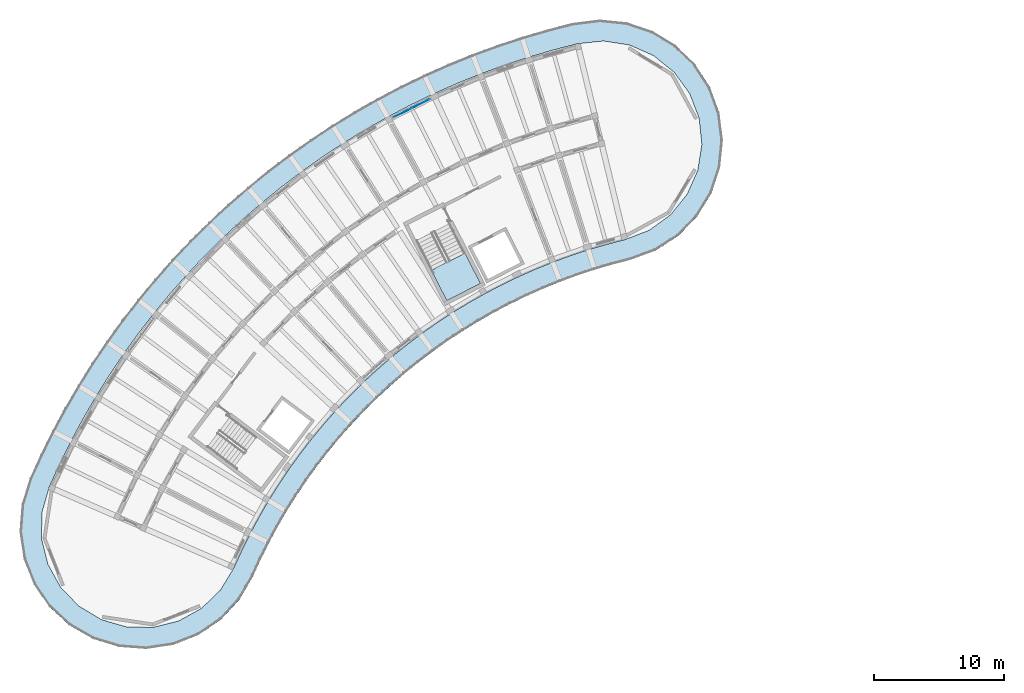
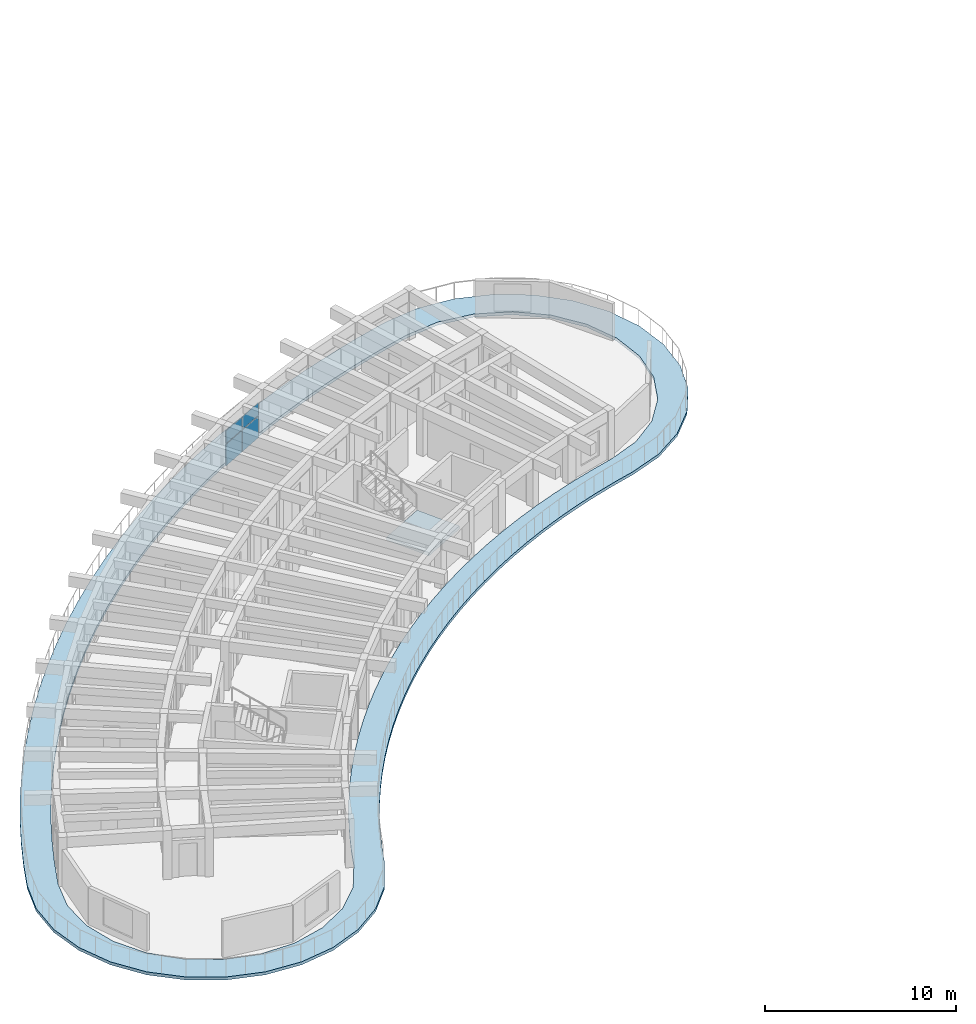
# One storey, part 16 of 32: 4 plates, 2 slabs, 2 elements without a shape of their own.
"""IFC4 building model written with IfcOpenShell, lengths in metres."""

from ifc_helpers import new_model, si_unit, direction, frame, origin, origin_2d, place, context, subcontext, project, spatial, polyline, rectangle, outline, extrude, material, layer, layer_set, type_object, element, aggregate, save


model = new_model("IFC4")

# Units and contexts
model_context = context("Model", 3, precision=1e-05, world=origin(), true_north=direction((0.0, 1.0)))
body_context = subcontext(model_context, "Body", "Model", "MODEL_VIEW")
ifc_project = project(units=[si_unit("LENGTHUNIT", "METRE"), si_unit("AREAUNIT", "SQUARE_METRE"), si_unit("VOLUMEUNIT", "CUBIC_METRE"), si_unit("PLANEANGLEUNIT", "RADIAN"), si_unit("MASSUNIT", "GRAM", prefix="KILO")], contexts=[model_context])

# Site, building, storey
site_placement = place(None, origin())
site = spatial("IfcSite", under=ifc_project, at=site_placement, CompositionType="ELEMENT")
building_placement = place(site_placement, origin())
building = spatial("IfcBuilding", under=site, at=building_placement, Name="Tanwirah Colonnade Gardens", CompositionType="ELEMENT")
storey_placement = place(building_placement, frame((0.0, 0.0, 42.43994140625)))
storey = spatial("IfcBuildingStorey", under=building, at=storey_placement, Name="L12", CompositionType="ELEMENT", Elevation=42.43994140625)

# Curtain wall, plates
ifc_material_1 = material(Name="Bronze-anodised aluminium and solar-control low-E glass", Category="aluminium")
curtain_wall_type = type_object("IfcCurtainWallType", Name="CW-LOB", PredefinedType="NOTDEFINED", material=ifc_material_1)
curtain_wall_placement = place(storey_placement, origin())
curtain_wall = element("IfcCurtainWall", 1, at=curtain_wall_placement, inside=storey, type_object=curtain_wall_type, Name="Curtain Wall CW-A-L12-OUT-05", PredefinedType="NOTDEFINED")
ifc_material_2 = material(Name="Solar-control low-E double glazing", Category="glass")
ifc_layer_1 = layer(ifc_material_2, 0.028076171875)
ifc_layer_set_1 = layer_set([ifc_layer_1], Name="Solar-control low-E double glazing")
plate_type = type_object("IfcPlateType", Name="CWP-GLZ28", PredefinedType="CURTAIN_PANEL", material=ifc_layer_set_1)
plate_1_placement = place(storey_placement, frame((38.887451171875, 113.689208984375, 0.06005859375), z_axis=(0.0, 0.0, 1.0), x_axis=(-0.892760230815, -0.450532096832, 0.0)))
plate_1 = element("IfcPlate", 2, at=plate_1_placement, type_object=plate_type, Name="CW-LOB panel 1.1", PredefinedType="CURTAIN_PANEL", context=body_context, shape_type="SweptSolid", body=[
    extrude(rectangle(XDim=1.512939453125, YDim=0.028076171875, at=origin_2d()), origin(), (0.0, 0.0, 1.0), 1.3701171875),
])
plate_2_placement = place(storey_placement, frame((38.887451171875, 113.689208984375, 1.490234375), z_axis=(0.0, 0.0, 1.0), x_axis=(-0.892760230815, -0.450532096832, 0.0)))
plate_2 = element("IfcPlate", 3, at=plate_2_placement, type_object=plate_type, Name="CW-LOB panel 1.2", PredefinedType="CURTAIN_PANEL", context=body_context, shape_type="SweptSolid", body=[
    extrude(rectangle(XDim=1.512939453125, YDim=0.028076171875, at=origin_2d()), origin(), (0.0, 0.0, 1.0), 0.804931640625),
])
plate_3_placement = place(storey_placement, frame((37.4833984375, 112.980712890625, 0.06005859375), z_axis=(0.0, 0.0, 1.0), x_axis=(-0.892760230815, -0.450532096832, 0.0)))
plate_3 = element("IfcPlate", 4, at=plate_3_placement, type_object=plate_type, Name="CW-LOB panel 2.1", PredefinedType="CURTAIN_PANEL", context=body_context, shape_type="SweptSolid", body=[
    extrude(rectangle(XDim=1.512939453125, YDim=0.028076171875, at=origin_2d()), origin(), (0.0, 0.0, 1.0), 1.3701171875),
])
plate_4_placement = place(storey_placement, frame((37.4833984375, 112.980712890625, 1.490234375), z_axis=(0.0, 0.0, 1.0), x_axis=(-0.892760230815, -0.450532096832, 0.0)))
plate_4 = element("IfcPlate", 5, at=plate_4_placement, type_object=plate_type, Name="CW-LOB panel 2.2", PredefinedType="CURTAIN_PANEL", context=body_context, shape_type="SweptSolid", body=[
    extrude(rectangle(XDim=1.512939453125, YDim=0.028076171875, at=origin_2d()), origin(), (0.0, 0.0, 1.0), 0.804931640625),
])
aggregate(curtain_wall, [plate_1, plate_2, plate_3, plate_4])

# Slab
ifc_material_3 = material(Name="White architectural precast concrete C40/50", Category="concrete")
ifc_layer_2 = layer(ifc_material_3, 0.18994140625)
ifc_layer_set_2 = layer_set([ifc_layer_2], Name="White architectural precast concrete C40/50")
slab_type_1 = type_object("IfcSlabType", Name="SL-BAL-190", PredefinedType="FLOOR", material=ifc_layer_set_2)
slab_1_placement = place(storey_placement, frame((0.0, 0.0, -0.18994140625)))
element("IfcSlab", 6, at=slab_1_placement, inside=storey, type_object=slab_type_1, Name="Block A L12 Continuous White Balcony Ribbon", PredefinedType="FLOOR", context=body_context, shape_type="SweptSolid", body=[
    extrude(outline(polyline([(56.9931640625, 102.332763671875), (58.76171875, 103.47412109375), (60.23193359375, 104.980712890625), (61.330078125, 106.7763671875), (62.0009765625, 108.771728515625), (62.211181640625, 110.865966796875), (61.949951171875, 112.95458984375), (61.23046875, 114.932861328125), (60.089111328125, 116.701416015625), (58.58251953125, 118.171630859375), (56.786865234375, 119.26953125), (54.791748046875, 119.940673828125), (52.697265625, 120.150634765625), (50.608642578125, 119.8896484375), (48.64892578125, 119.3828125), (46.70703125, 118.811767578125), (44.78515625, 118.1767578125), (42.885009765625, 117.47900390625), (41.009033203125, 116.718994140625), (39.1591796875, 115.8974609375), (37.33740234375, 115.015380859375), (35.545654296875, 114.073974609375), (33.785888671875, 113.07373046875), (32.06005859375, 112.01611328125), (30.3701171875, 110.90234375), (28.717529296875, 109.7333984375), (27.104736328125, 108.510498046875), (25.532958984375, 107.235107421875), (24.00390625, 105.90869140625), (22.51953125, 104.532470703125), (21.08154296875, 103.108154296875), (19.69091796875, 101.63720703125), (18.349853515625, 100.121337890625), (17.059326171875, 98.56201171875), (15.82080078125, 96.9609375), (14.6357421875, 95.320068359375), (13.505615234375, 93.640869140625), (12.431396484375, 91.92529296875), (11.414306640625, 90.17529296875), (10.455322265625, 88.392822265625), (9.5556640625, 86.57958984375), (8.71630859375, 84.73779296875), (8.096435546875, 82.72607421875), (7.939697265625, 80.627197265625), (8.25390625, 78.545654296875), (9.0234375, 76.586669921875), (10.209716796875, 74.84765625), (11.753173828125, 73.41650390625), (13.576416015625, 72.364501953125), (15.587890625, 71.74462890625), (17.68701171875, 71.587890625), (19.768310546875, 71.902099609375), (21.7275390625, 72.671630859375), (23.466552734375, 73.85791015625), (24.897705078125, 75.4013671875), (25.94970703125, 77.224609375), (26.531982421875, 78.50244140625), (27.15625, 79.760498046875), (27.821533203125, 80.997314453125), (28.52734375, 82.21142578125), (29.272705078125, 83.401611328125), (30.056884765625, 84.566650390625), (30.87890625, 85.705078125), (31.73828125, 86.81591796875), (32.633544921875, 87.89794921875), (33.564208984375, 88.94970703125), (34.52880859375, 89.97021484375), (35.526611328125, 90.95849609375), (36.556396484375, 91.9130859375), (37.6171875, 92.83349609375), (38.707763671875, 93.71826171875), (39.826904296875, 94.566650390625), (40.973388671875, 95.3779296875), (42.14599609375, 96.150634765625), (43.34326171875, 96.884521484375), (44.564208984375, 97.578369140625), (45.807373046875, 98.231689453125), (47.0712890625, 98.843505859375), (48.354736328125, 99.41357421875), (49.656494140625, 99.94091796875), (50.974609375, 100.425048828125), (52.30810546875, 100.865478515625), (53.655517578125, 101.26171875), (55.01513671875, 101.61328125), (56.9931640625, 102.332763671875)]), holes=[polyline([(56.53076171875, 103.91796875), (54.634033203125, 103.187744140625), (53.224365234375, 102.8232421875), (53.2236328125, 102.822998046875), (51.825927734375, 102.411865234375), (51.8251953125, 102.411865234375), (50.441650390625, 101.954833984375), (50.44091796875, 101.95458984375), (49.0732421875, 101.4521484375), (49.07275390625, 101.451904296875), (47.72216796875, 100.90478515625), (47.7216796875, 100.904541015625), (46.389892578125, 100.313232421875), (46.38916015625, 100.31298828125), (45.077880859375, 99.677978515625), (45.0771484375, 99.677734375), (43.787353515625, 99.0), (43.786865234375, 98.99951171875), (42.52001953125, 98.279541015625), (42.51953125, 98.279296875), (41.277099609375, 97.51806640625), (41.276611328125, 97.517578125), (40.059814453125, 96.7158203125), (40.059326171875, 96.71533203125), (38.869873046875, 95.873779296875), (38.869384765625, 95.87353515625), (37.708251953125, 94.9931640625), (37.707763671875, 94.99267578125), (36.576171875, 94.07470703125), (36.57568359375, 94.07421875), (35.47509765625, 93.119384765625), (35.474609375, 93.118896484375), (34.406005859375, 92.12841796875), (34.405517578125, 92.1279296875), (33.370361328125, 91.1025390625), (33.369873046875, 91.10205078125), (32.368896484375, 90.043212890625), (32.368408203125, 90.042724609375), (31.40283203125, 88.951416015625), (31.402587890625, 88.950927734375), (30.473388671875, 87.828369140625), (30.47314453125, 87.827880859375), (29.58154296875, 86.67529296875), (29.581298828125, 86.6748046875), (28.728271484375, 85.493408203125), (28.727783203125, 85.492919921875), (27.9140625, 84.2841796875), (27.913818359375, 84.28369140625), (27.140380859375, 83.048828125), (27.14013671875, 83.048095703125), (26.407958984375, 81.788330078125), (26.40771484375, 81.787841796875), (25.71728515625, 80.504638671875), (25.717041015625, 80.504150390625), (25.0693359375, 79.19873046875), (25.069091796875, 79.1982421875), (24.46533203125, 77.873291015625), (23.416748046875, 76.13232421875), (21.95458984375, 74.722900390625), (20.17724609375, 73.739990234375), (18.206298828125, 73.25048828125), (16.175537109375, 73.287841796875), (14.223876953125, 73.849609375), (12.484130859375, 74.897216796875), (11.07470703125, 76.359619140625), (10.091796875, 78.136962890625), (9.602294921875, 80.10791015625), (9.6396484375, 82.138671875), (10.20166015625, 84.09130859375), (11.0185546875, 85.883544921875), (11.89453125, 87.64892578125), (12.828125, 89.384521484375), (13.818359375, 91.08837890625), (14.8642578125, 92.758544921875), (15.964599609375, 94.393310546875), (17.118408203125, 95.990966796875), (18.32421875, 97.5498046875), (19.58056640625, 99.068115234375), (20.886474609375, 100.5439453125), (22.240234375, 101.97607421875), (23.640380859375, 103.36279296875), (25.085693359375, 104.70263671875), (26.57421875, 105.994140625), (28.1044921875, 107.23583984375), (29.6748046875, 108.42626953125), (31.28369140625, 109.564453125), (32.92919921875, 110.649169921875), (34.609375, 111.6787109375), (36.32275390625, 112.652587890625), (38.067138671875, 113.5693359375), (39.841064453125, 114.427978515625), (41.64208984375, 115.227783203125), (43.468505859375, 115.9677734375), (45.318359375, 116.647216796875), (47.189697265625, 117.26513671875), (49.080322265625, 117.8212890625), (50.987060546875, 118.314453125), (53.0078125, 118.52880859375), (55.01416015625, 118.213134765625), (56.870361328125, 117.388671875), (58.449951171875, 116.1123046875), (59.645263671875, 114.47021484375), (60.375, 112.574951171875), (60.589111328125, 110.555419921875), (60.2734375, 108.549072265625), (59.44921875, 106.69287109375), (58.172607421875, 105.11328125), (56.53076171875, 103.91796875)])]), origin(), (0.0, 0.0, 1.0), 0.18994140625),
])

# Stair, slab
ifc_material_4 = material(Name="Precast concrete C40/50", Category="concrete")
stair_type = type_object("IfcStairType", Name="ST-RES168", PredefinedType="HALF_TURN_STAIR", material=ifc_material_4)
stair_placement = place(storey_placement, origin())
stair = element("IfcStair", 7, at=stair_placement, inside=storey, type_object=stair_type, Name="L12 Block A Core 1 Exit Stair", PredefinedType="HALF_TURN_STAIR")
ifc_layer_3 = layer(ifc_material_4, 0.205078125)
ifc_layer_set_3 = layer_set([ifc_layer_3], Name="Precast concrete C40/50")
slab_type_2 = type_object("IfcSlabType", Name="SL-LND-205", PredefinedType="LANDING", material=ifc_layer_set_3)
slab_2_placement = place(storey_placement, frame((0.0, 0.0, 1.47509765625)))
slab_2 = element("IfcSlab", 8, at=slab_2_placement, type_object=slab_type_2, Name="ST-A1 landing 1", PredefinedType="LANDING", context=body_context, shape_type="SweptSolid", body=[
    extrude(outline(polyline([(39.6982421875, 100.826171875), (40.89453125, 98.478515625), (43.496337890625, 99.80419921875), (42.300048828125, 102.15185546875), (39.6982421875, 100.826171875)])), origin(), (0.0, 0.0, 1.0), 0.205078125),
])
aggregate(stair, [slab_2])

save(model, "model.ifc")
